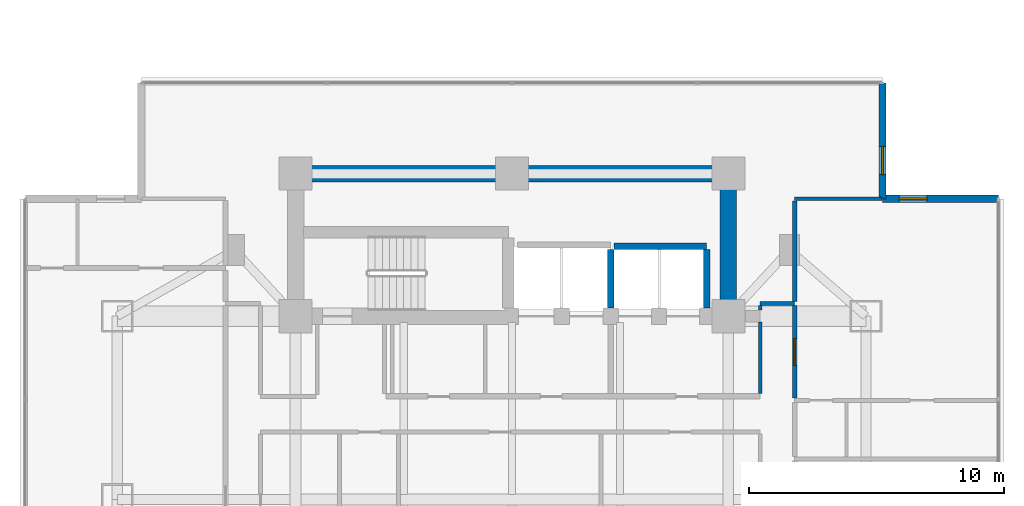
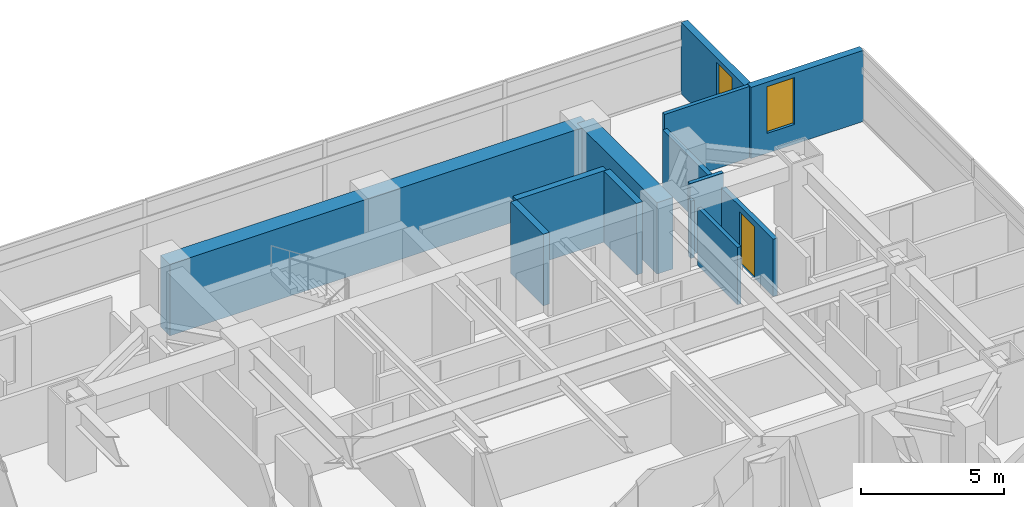
# One storey, part 20 of 27: 13 walls, 2 windows, 1 door, 3 openings.
"""IFC4 building model written with IfcOpenShell, lengths in metres."""

from ifc_helpers import new_model, si_unit, direction, frame, frame_2d, origin, place, context, subcontext, project, spatial, rectangle, extrude, material, layer, layer_set, type_object, element, fill, save


model = new_model("IFC4")

# Units and contexts
model_context = context("Model", 3, precision=1e-05, world=origin(), true_north=direction((0.0, 1.0)))
body_context = subcontext(model_context, "Body", "Model", "MODEL_VIEW")
ifc_project = project(units=[si_unit("LENGTHUNIT", "METRE"), si_unit("AREAUNIT", "SQUARE_METRE"), si_unit("VOLUMEUNIT", "CUBIC_METRE"), si_unit("PLANEANGLEUNIT", "RADIAN"), si_unit("MASSUNIT", "GRAM", prefix="KILO")], contexts=[model_context])

# Site, building, storey
site_placement = place(None, origin())
site = spatial("IfcSite", under=ifc_project, at=site_placement, CompositionType="ELEMENT")
building_placement = place(site_placement, origin())
building = spatial("IfcBuilding", under=site, at=building_placement, Name="Mirazonda Arch Towers", CompositionType="ELEMENT")
storey_placement = place(building_placement, frame((0.0, 0.0, 75.199951171875)))
storey = spatial("IfcBuildingStorey", under=building, at=storey_placement, Name="L21", CompositionType="ELEMENT", Elevation=75.199951171875)

# Walls
ifc_material_1 = material(Name="Concrete C60/75", Category="concrete")
ifc_layer_1 = layer(ifc_material_1, 0.64990234375, Name="WALL-CORE-650")
ifc_layer_set_1 = layer_set([ifc_layer_1], Name="Concrete C60/75")
wall_type_1 = type_object("IfcWallType", Name="WALL-CORE-650", PredefinedType="SHEAR", material=ifc_layer_set_1)
wall_1_placement = place(storey_placement, frame((68.0, 40.800048828125, 0.0), z_axis=(0.0, 0.0, 1.0), x_axis=(1.0, 0.0, 0.0)))
element("IfcWall", 1, at=wall_1_placement, inside=storey, type_object=wall_type_1, Name="L21 T2N-N Core Shear Wall", PredefinedType="SHEAR", context=body_context, shape_type="SweptSolid", body=[
    extrude(rectangle(XDim=17.0, YDim=0.64990234375, at=frame_2d((8.5, 0.0))), origin(), (0.0, 0.0, 1.0), 3.06005859375),
])
wall_2_placement = place(storey_placement, frame((85.0, 35.199951171875, 0.0), z_axis=(0.0, 0.0, 1.0), x_axis=(0.0, 1.0, 0.0)))
element("IfcWall", 2, at=wall_2_placement, inside=storey, type_object=wall_type_1, Name="L21 T2N-E Core Shear Wall", PredefinedType="SHEAR", context=body_context, shape_type="SweptSolid", body=[
    extrude(rectangle(XDim=5.60009765625, YDim=0.64990234375, at=frame_2d((2.800048828125, 0.0))), origin(), (0.0, 0.0, 1.0), 3.06005859375),
])

# Wall, opening, window
ifc_material_2 = material(Name="Precast Concrete C40/50", Category="concrete")
ifc_layer_2 = layer(ifc_material_2, 0.280029296875, Name="WALL-EXT-WALL-280")
ifc_layer_set_2 = layer_set([ifc_layer_2], Name="Precast Concrete C40/50")
wall_type_2 = type_object("IfcWallType", Name="WALL-EXT-WALL-280", PredefinedType="SOLIDWALL", material=ifc_layer_set_2)
wall_3_placement = place(storey_placement, frame((91.06005859375, 39.81298828125, 0.0), z_axis=(0.0, 0.0, 1.0), x_axis=(0.0, 1.0, 0.0)))
wall_3 = element("IfcWall", 3, at=wall_3_placement, inside=storey, type_object=wall_type_2, Name="L21 T2 Notched NE Corner Wall WL-L21-T2-CNE", PredefinedType="SOLIDWALL", context=body_context, shape_type="SweptSolid", body=[
    extrude(rectangle(XDim=4.546142578125, YDim=0.280029296875, at=frame_2d((2.27294921875, 0.0))), origin(), (0.0, 0.0, 1.0), 3.0400390625),
])
opening_1_placement = place(wall_3_placement, frame((0.949951171875, 0.0, 0.85009765625)))
opening_1 = element("IfcOpeningElement", 4, at=opening_1_placement, cuts=wall_3, Name="Opening WN-108", PredefinedType="OPENING", context=body_context, shape_type="SweptSolid", body=[
    extrude(rectangle(XDim=1.10009765625, YDim=2.0, at=frame_2d((0.550048828125, 1.0))), frame((0.0, 0.14990234375, 0.0), z_axis=(0.0, -1.0, 0.0), x_axis=(1.0, 0.0, 0.0)), (0.0, 0.0, 1.0), 0.300048828125),
])
ifc_material_3 = material(Name="Insulated Low-E Solar Glass", Category="glass")
window_type = type_object("IfcWindowType", Name="WIN-NOTCH-1100x2000", PartitioningType="SINGLE_PANEL", PredefinedType="WINDOW", material=ifc_material_3)
window_1_placement = place(opening_1_placement, origin())
window_1 = element("IfcWindow", 5, at=window_1_placement, inside=storey, type_object=window_type, Name="L21 Punched Facade Window WN-L21-T2-CNE", OverallHeight=2.0, OverallWidth=1.10009765625, PartitioningType="SINGLE_PANEL", PredefinedType="WINDOW", context=body_context, shape_type="SweptSolid", body=[
    extrude(rectangle(XDim=1.10009765625, YDim=2.0, at=frame_2d((0.550048828125, 1.0))), frame((0.0, 0.030029296875, 0.0), z_axis=(0.0, -1.0, 0.0), x_axis=(1.0, 0.0, 0.0)), (0.0, 0.0, 1.0), 0.06005859375),
])
fill(opening_1, window_1)

wall_4_placement = place(storey_placement, frame((95.60595703125, 39.81298828125, 0.0), z_axis=(0.0, 0.0, 1.0), x_axis=(-1.0, 0.0, 0.0)))
wall_4 = element("IfcWall", 6, at=wall_4_placement, inside=storey, type_object=wall_type_2, Name="L21 T2 Corner Notch Return Wall WL-L21-T2-CNE2", PredefinedType="SOLIDWALL", context=body_context, shape_type="SweptSolid", body=[
    extrude(rectangle(XDim=4.5458984375, YDim=0.280029296875, at=frame_2d((2.27294921875, 0.0))), origin(), (0.0, 0.0, 1.0), 3.0400390625),
])
opening_2_placement = place(wall_4_placement, frame((2.7958984375, 0.0, 0.85009765625)))
opening_2 = element("IfcOpeningElement", 7, at=opening_2_placement, cuts=wall_4, Name="Opening WN-108", PredefinedType="OPENING", context=body_context, shape_type="SweptSolid", body=[
    extrude(rectangle(XDim=1.10009765625, YDim=2.0, at=frame_2d((0.550048828125, 1.0))), frame((0.0, 0.14990234375, 0.0), z_axis=(0.0, -1.0, 0.0), x_axis=(1.0, 0.0, 0.0)), (0.0, 0.0, 1.0), 0.300048828125),
])
window_2_placement = place(opening_2_placement, origin())
window_2 = element("IfcWindow", 8, at=window_2_placement, inside=storey, type_object=window_type, Name="L21 Punched Facade Window WN-L21-T2-CNE2", OverallHeight=2.0, OverallWidth=1.10009765625, PartitioningType="SINGLE_PANEL", PredefinedType="WINDOW", context=body_context, shape_type="SweptSolid", body=[
    extrude(rectangle(XDim=1.10009765625, YDim=2.0, at=frame_2d((0.550048828125, 1.0))), frame((0.0, 0.030029296875, 0.0), z_axis=(0.0, -1.0, 0.0), x_axis=(1.0, 0.0, 0.0)), (0.0, 0.0, 1.0), 0.06005859375),
])
fill(opening_2, window_2)

# Walls
ifc_material_4 = material(Name="Fire-Rated Gypsum Stud Partition")
ifc_layer_3 = layer(ifc_material_4, 0.14990234375, Name="WALL-PART-CORR-150")
ifc_layer_set_3 = layer_set([ifc_layer_3], Name="Fire-Rated Gypsum Stud Partition")
wall_type_3 = type_object("IfcWallType", Name="WALL-PART-CORR-150", PredefinedType="PARTITIONING", material=ifc_layer_set_3)
wall_5_placement = place(storey_placement, frame((86.25, 35.699951171875, 0.0), z_axis=(0.0, 0.0, 1.0), x_axis=(1.0, 0.0, 0.0)))
element("IfcWall", 9, at=wall_5_placement, inside=storey, type_object=wall_type_3, Name="L21 Interior Partition 044", PredefinedType="PARTITIONING", context=body_context, shape_type="SweptSolid", body=[
    extrude(rectangle(XDim=1.35009765625, YDim=0.14990234375, at=frame_2d((0.675048828125, 0.0))), origin(), (0.0, 0.0, 1.0), 3.06005859375),
])
wall_6_placement = place(storey_placement, frame((87.60009765625, 39.81298828125, 0.0), z_axis=(0.0, 0.0, 1.0), x_axis=(1.0, 0.0, 0.0)))
element("IfcWall", 10, at=wall_6_placement, inside=storey, type_object=wall_type_3, Name="L21 Interior Partition 050", PredefinedType="PARTITIONING", context=body_context, shape_type="SweptSolid", body=[
    extrude(rectangle(XDim=3.43994140625, YDim=0.14990234375, at=frame_2d((1.719970703125, 0.0))), origin(), (0.0, 0.0, 1.0), 3.06005859375),
])
wall_7_placement = place(storey_placement, frame((86.25, 32.169921875, 0.0), z_axis=(0.0, 0.0, 1.0), x_axis=(0.0, 1.0, 0.0)))
element("IfcWall", 11, at=wall_7_placement, inside=storey, type_object=wall_type_3, Name="L21 Interior Partition 135", PredefinedType="PARTITIONING", context=body_context, shape_type="SweptSolid", body=[
    extrude(rectangle(XDim=2.795166015625, YDim=0.14990234375, at=frame_2d((1.3974609375, 0.0))), origin(), (0.0, 0.0, 1.0), 2.4521484375),
])
wall_8_placement = place(storey_placement, frame((86.25, 35.43505859375, 0.0), z_axis=(0.0, 0.0, 1.0), x_axis=(0.0, 1.0, 0.0)))
element("IfcWall", 12, at=wall_8_placement, inside=storey, type_object=wall_type_3, Name="L21 Interior Partition 136", PredefinedType="PARTITIONING", context=body_context, shape_type="SweptSolid", body=[
    extrude(rectangle(XDim=0.179931640625, YDim=0.14990234375, at=frame_2d((0.08984375, 0.0))), origin(), (0.0, 0.0, 1.0), 2.4521484375),
])

# Wall, opening, door
ifc_material_5 = material(Name="Fire-Rated Gypsum Twin-Stud Assembly")
ifc_layer_4 = layer(ifc_material_5, 0.179931640625, Name="WALL-PART-DEMISE-180")
ifc_layer_set_4 = layer_set([ifc_layer_4], Name="Fire-Rated Gypsum Twin-Stud Assembly")
wall_type_4 = type_object("IfcWallType", Name="WALL-PART-DEMISE-180", PredefinedType="PARTITIONING", material=ifc_layer_set_4)
wall_9_placement = place(storey_placement, frame((87.60009765625, 31.98095703125, 0.0), z_axis=(0.0, 0.0, 1.0), x_axis=(0.0, 1.0, 0.0)))
wall_9 = element("IfcWall", 13, at=wall_9_placement, inside=storey, type_object=wall_type_4, Name="L21 Interior Partition 143", PredefinedType="PARTITIONING", context=body_context, shape_type="SweptSolid", body=[
    extrude(rectangle(XDim=3.634033203125, YDim=0.179931640625, at=frame_2d((1.81689453125, 0.0))), origin(), (0.0, 0.0, 1.0), 2.4521484375),
])
opening_3_placement = place(wall_9_placement, frame((1.2919921875, 0.0, 0.0)))
opening_3 = element("IfcOpeningElement", 14, at=opening_3_placement, cuts=wall_9, Name="Opening DR-121", PredefinedType="OPENING", context=body_context, shape_type="SweptSolid", body=[
    extrude(rectangle(XDim=1.050048828125, YDim=2.199951171875, at=frame_2d((0.52490234375, 1.10009765625))), frame((0.0, 0.099853515625, 0.0), z_axis=(0.0, -1.0, 0.0), x_axis=(1.0, 0.0, 0.0)), (0.0, 0.0, 1.0), 0.199951171875),
])
ifc_material_6 = material(Name="Architectural Brushed Steel S355", Category="steel")
door_type = type_object("IfcDoorType", Name="DOOR-SUITE-FD60-1050", OperationType="NOTDEFINED", PredefinedType="DOOR", material=ifc_material_6)
door_placement = place(opening_3_placement, origin())
door = element("IfcDoor", 15, at=door_placement, inside=storey, type_object=door_type, Name="L21 King Hotel Guestroom 3 Door", OperationType="SINGLE_SWING_RIGHT", OverallHeight=2.199951171875, OverallWidth=1.050048828125, PredefinedType="DOOR", context=body_context, shape_type="SweptSolid", body=[
    extrude(rectangle(XDim=1.050048828125, YDim=2.199951171875, at=frame_2d((0.52490234375, 1.10009765625))), frame((0.0, 0.02490234375, 0.0), z_axis=(0.0, -1.0, 0.0), x_axis=(1.0, 0.0, 0.0)), (0.0, 0.0, 1.0), 0.050048828125),
])
fill(opening_3, door)

# Walls
wall_10_placement = place(storey_placement, frame((87.60009765625, 35.784912109375, 0.0), z_axis=(0.0, 0.0, 1.0), x_axis=(0.0, 1.0, 0.0)))
element("IfcWall", 16, at=wall_10_placement, inside=storey, type_object=wall_type_4, Name="L21 Interior Partition 144", PredefinedType="PARTITIONING", context=body_context, shape_type="SweptSolid", body=[
    extrude(rectangle(XDim=3.943115234375, YDim=0.179931640625, at=frame_2d((1.9716796875, 0.0))), origin(), (0.0, 0.0, 1.0), 2.43603515625),
])
ifc_material_7 = material(Name="Concrete C40/50", Category="concrete")
ifc_layer_5 = layer(ifc_material_7, 0.25, Name="WALL-SHAFT-250")
ifc_layer_set_5 = layer_set([ifc_layer_5], Name="Concrete C40/50")
wall_type_5 = type_object("IfcWallType", Name="WALL-SHAFT-250", PredefinedType="SOLIDWALL", material=ifc_layer_set_5)
wall_11_placement = place(storey_placement, frame((80.5, 37.949951171875, 0.0), z_axis=(0.0, 0.0, 1.0), x_axis=(1.0, 0.0, 0.0)))
element("IfcWall", 17, at=wall_11_placement, inside=storey, type_object=wall_type_5, Name="L21 Interior Partition 046", PredefinedType="SOLIDWALL", context=body_context, shape_type="SweptSolid", body=[
    extrude(rectangle(XDim=3.64990234375, YDim=0.25, at=frame_2d((1.824951171875, 0.0))), origin(), (0.0, 0.0, 1.0), 3.06005859375),
])
for number, where, z_axis, x_axis, name in (
    (18, (80.3798828125, 35.52001953125, 0.0), (0.0, 0.0, 1.0), (0.0, 1.0, 0.0), "L21 Interior Partition 129"),
    (19, (84.14990234375, 35.52001953125, 0.0), (0.0, 0.0, 1.0), (0.0, 1.0, 0.0), "L21 Interior Partition 131"),
):
    element("IfcWall", number, at=place(storey_placement, frame(where, z_axis=z_axis, x_axis=x_axis)), inside=storey, type_object=wall_type_5, Name=name, PredefinedType="SOLIDWALL", context=body_context, shape_type="SweptSolid", body=[
        extrude(rectangle(XDim=2.294921875, YDim=0.25, at=frame_2d((1.1474609375, 0.0))), origin(), (0.0, 0.0, 1.0), 3.06005859375),
    ])

save(model, "model.ifc")
